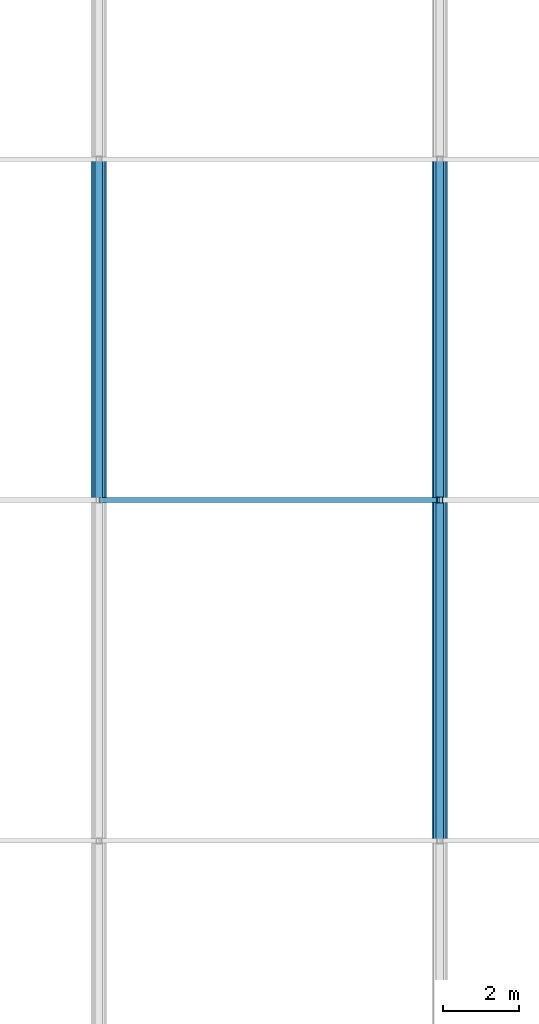
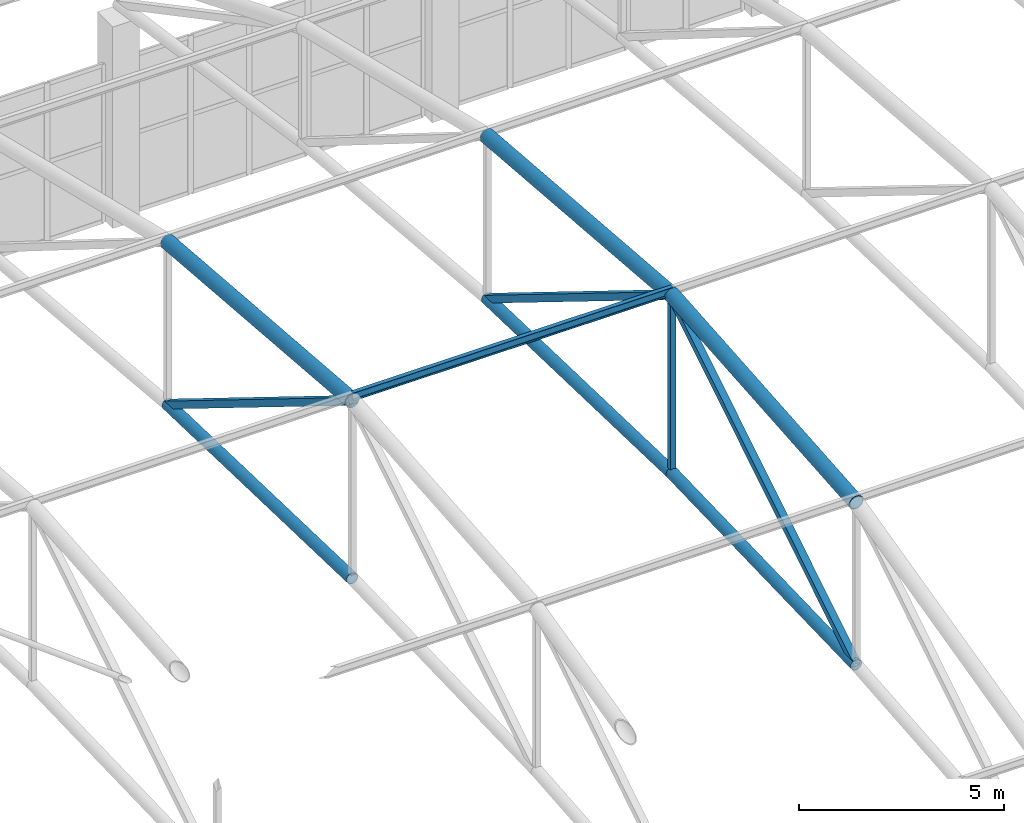
# One storey, part 118 of 223: 11 members.
"""IFC4 building model written with IfcOpenShell, lengths in metres."""

from ifc_helpers import new_model, si_unit, direction, frame, origin, origin_2d, place, context, subcontext, project, spatial, hollow_rectangle, hollow_circle, i_section, extrude, material, material_profile, profile_set, type_object, element, save


model = new_model("IFC4")

# Units and contexts
model_context = context("Model", 3, precision=1e-05, world=origin(), true_north=direction((0.0, 1.0)))
body_context = subcontext(model_context, "Body", "Model", "MODEL_VIEW")
ifc_project = project(units=[si_unit("LENGTHUNIT", "METRE"), si_unit("AREAUNIT", "SQUARE_METRE"), si_unit("VOLUMEUNIT", "CUBIC_METRE"), si_unit("PLANEANGLEUNIT", "RADIAN"), si_unit("MASSUNIT", "GRAM", prefix="KILO")], contexts=[model_context])

# Site, building, storey
site_placement = place(None, origin())
site = spatial("IfcSite", under=ifc_project, at=site_placement, CompositionType="ELEMENT")
building_placement = place(site_placement, origin())
building = spatial("IfcBuilding", under=site, at=building_placement, Name="Dornveld Trade and Exhibition Forum", CompositionType="ELEMENT")
storey_placement = place(building_placement, frame((0.0, 0.0, 6.0)))
storey = spatial("IfcBuildingStorey", under=building, at=storey_placement, Name="L01", CompositionType="ELEMENT", Elevation=6.0)

# Members
ifc_material_1 = material(Name="Steel S355J2", Category="steel")
ifc_material_profile_1 = material_profile(ifc_material_1, hollow_circle(Radius=0.161865234375, WallThickness=0.01611328125, at=origin_2d()), Name="CHS 323.9x16")
ifc_profile_set_1 = profile_set([ifc_material_profile_1], Name="Steel S355J2")
member_type_1 = type_object("IfcMemberType", Name="MEM-ARCH-BC", PredefinedType="CHORD", material=ifc_profile_set_1)
for number, where, z_axis, x_axis, name in (
    (1, (117.0, 135.0, 8.75), (0.0, 0.999561545365, -0.029609407757), (-1.0, 0.0, 0.0), "H1 truss 3 tie chord 4"),
    (2, (126.0, 126.0, 8.4833984375), (0.0, 0.999561545365, 0.029609407757), (-1.0, 0.0, 0.0), "H1 truss 4 tie chord 3"),
    (3, (126.0, 135.0, 8.75), (0.0, 0.999561545365, -0.029609407757), (-1.0, 0.0, 0.0), "H1 truss 4 tie chord 4"),
):
    element("IfcMember", number, at=place(storey_placement, frame(where, z_axis=z_axis, x_axis=x_axis)), inside=storey, type_object=member_type_1, Name=name, PredefinedType="CHORD", context=body_context, shape_type="SweptSolid", body=[
        extrude(hollow_circle(Radius=0.161865234375, WallThickness=0.01611328125, at=origin_2d()), origin(), (0.0, 0.0, 1.0), 9.00390625),
    ])
ifc_material_2 = material(Name="Steel S355J2", Category="steel")
ifc_material_profile_2 = material_profile(ifc_material_2, hollow_rectangle(XDim=0.14990234375, YDim=0.14990234375, WallThickness=0.008056640625, at=origin_2d()), Name="SHS 150x150x8")
ifc_profile_set_2 = profile_set([ifc_material_profile_2], Name="Steel S355J2")
member_type_2 = type_object("IfcMemberType", Name="MEM-ARCH-STR", PredefinedType="STRUT", material=ifc_profile_set_2)
member_1_placement = place(storey_placement, frame((126.0, 135.0, 8.75), z_axis=(0.0, 0.0, 1.0), x_axis=(1.0, 0.0, 0.0)))
element("IfcMember", 4, at=member_1_placement, inside=storey, type_object=member_type_2, Name="H1 truss 4 strut 4", PredefinedType="STRUT", context=body_context, shape_type="SweptSolid", body=[
    extrude(hollow_rectangle(XDim=0.14990234375, YDim=0.14990234375, WallThickness=0.008056640625, at=origin_2d()), origin(), (0.0, 0.0, 1.0), 5.300048828125),
])
ifc_material_3 = material(Name="Steel S355J2", Category="steel")
ifc_material_profile_3 = material_profile(ifc_material_3, hollow_circle(Radius=0.203125, WallThickness=0.02001953125, at=origin_2d()), Name="CHS 406.4x20")
ifc_profile_set_3 = profile_set([ifc_material_profile_3], Name="Steel S355J2")
member_type_3 = type_object("IfcMemberType", Name="MEM-ARCH-TC", PredefinedType="CHORD", material=ifc_profile_set_3)
for number, where, z_axis, x_axis, name in (
    (5, (117.0, 135.0, 14.050048828125), (0.0, 0.996696239312, -0.081219496064), (-1.0, 0.0, 0.0), "H1 truss 3 top chord 4"),
    (6, (126.0, 126.0, 13.316650390625), (0.0, 0.996696239312, 0.081219496064), (-1.0, 0.0, 0.0), "H1 truss 4 top chord 3"),
    (7, (126.0, 135.0, 14.050048828125), (0.0, 0.996696239312, -0.081219496064), (-1.0, 0.0, 0.0), "H1 truss 4 top chord 4"),
):
    element("IfcMember", number, at=place(storey_placement, frame(where, z_axis=z_axis, x_axis=x_axis)), inside=storey, type_object=member_type_3, Name=name, PredefinedType="CHORD", context=body_context, shape_type="SweptSolid", body=[
        extrude(hollow_circle(Radius=0.203125, WallThickness=0.02001953125, at=origin_2d()), origin(), (0.0, 0.0, 1.0), 9.02978515625),
    ])
ifc_material_4 = material(Name="Steel S355J2", Category="steel")
ifc_material_profile_4 = material_profile(ifc_material_4, hollow_rectangle(XDim=0.199951171875, YDim=0.199951171875, WallThickness=0.010009765625, at=origin_2d()), Name="SHS 200x200x10")
ifc_profile_set_4 = profile_set([ifc_material_profile_4], Name="Steel S355J2")
member_type_4 = type_object("IfcMemberType", Name="MEM-ARCH-WEB", PredefinedType="BRACE", material=ifc_profile_set_4)
for number, where, z_axis, x_axis, name in (
    (8, (117.0, 144.0, 8.4833984375), (0.0, -0.850467158024, 0.526028148603), (1.0, 0.0, 0.0), "H1 truss 3 web 4"),
    (9, (126.0, 126.0, 8.4833984375), (0.0, 0.850467158024, 0.526028148603), (-1.0, 0.0, 0.0), "H1 truss 4 web 3"),
    (10, (126.0, 144.0, 8.4833984375), (0.0, -0.850467158024, 0.526028148603), (1.0, 0.0, 0.0), "H1 truss 4 web 4"),
):
    element("IfcMember", number, at=place(storey_placement, frame(where, z_axis=z_axis, x_axis=x_axis)), inside=storey, type_object=member_type_4, Name=name, PredefinedType="BRACE", context=body_context, shape_type="SweptSolid", body=[
        extrude(hollow_rectangle(XDim=0.199951171875, YDim=0.199951171875, WallThickness=0.010009765625, at=origin_2d()), origin(), (0.0, 0.0, 1.0), 10.58251953125),
    ])
ifc_material_5 = material(Name="Steel S355J2", Category="steel")
ifc_material_profile_5 = material_profile(ifc_material_5, i_section(OverallWidth=0.1201171875, OverallDepth=0.239990234375, WebThickness=0.006103515625, FlangeThickness=0.009765625, FilletRadius=0.014892578125, at=origin_2d()), Name="IPE 240")
ifc_profile_set_5 = profile_set([ifc_material_profile_5], Name="Steel S355J2")
member_type_5 = type_object("IfcMemberType", Name="MEM-PURLIN-240", PredefinedType="PURLIN", material=ifc_profile_set_5)
member_2_placement = place(storey_placement, frame((117.0, 135.0, 14.181884765625), z_axis=(1.0, 0.0, 0.0), x_axis=(0.0, 1.0, 0.0)))
element("IfcMember", 11, at=member_2_placement, inside=storey, type_object=member_type_5, Name="H1 bay 3 roof purlin 4", PredefinedType="PURLIN", context=body_context, shape_type="SweptSolid", body=[
    extrude(i_section(OverallWidth=0.1201171875, OverallDepth=0.239990234375, WebThickness=0.006103515625, FlangeThickness=0.009765625, FilletRadius=0.014892578125, at=origin_2d()), origin(), (0.0, 0.0, 1.0), 9.0),
])

save(model, "model.ifc")
